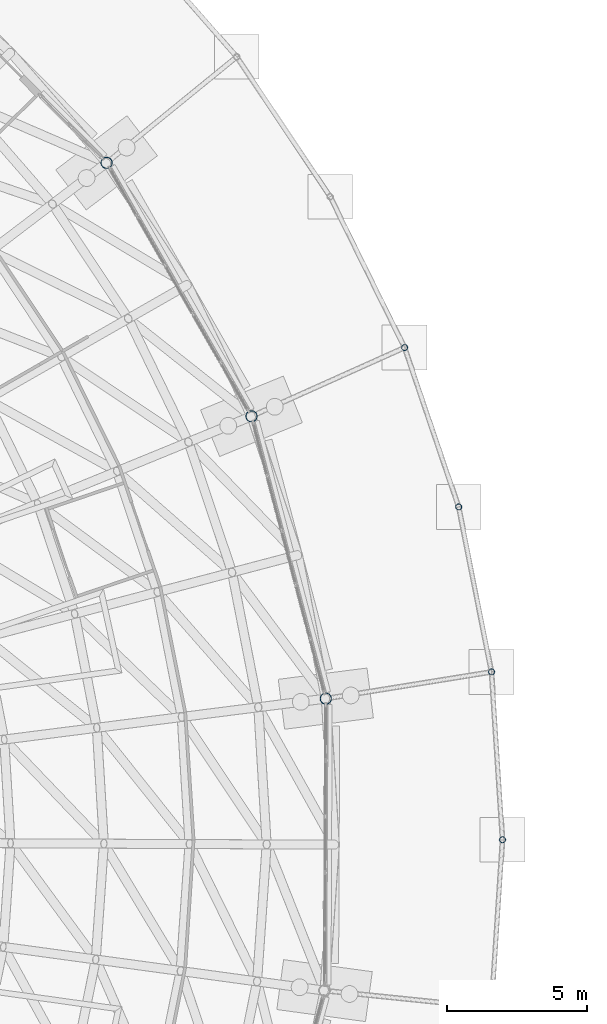
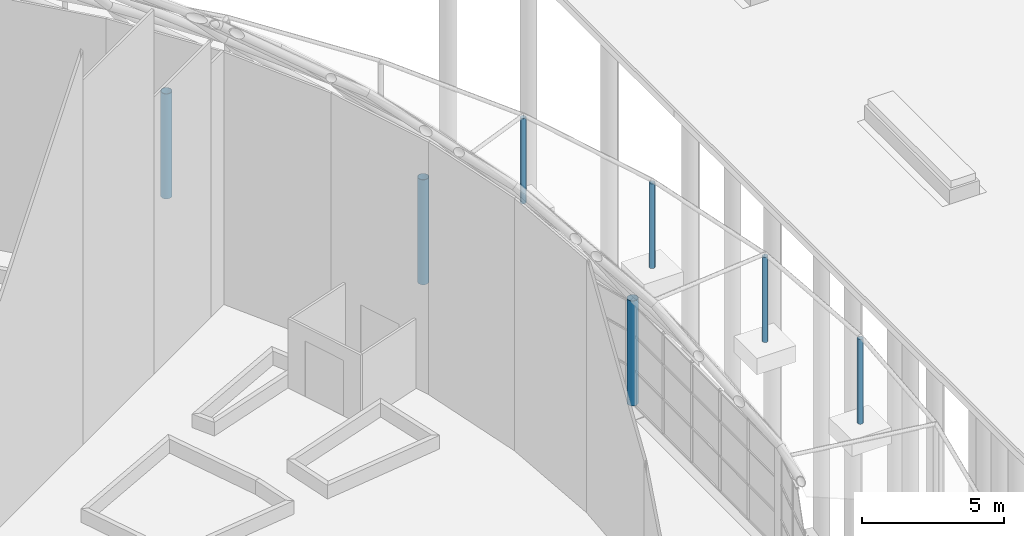
# One storey, part 40 of 226: 7 columns.
"""IFC4 building model written with IfcOpenShell, lengths in metres."""

from ifc_helpers import new_model, si_unit, direction, frame, origin, origin_2d, place, context, subcontext, project, spatial, hollow_circle, extrude, material, material_profile, profile_set, type_object, element, save


model = new_model("IFC4")

# Units and contexts
model_context = context("Model", 3, precision=1e-05, world=origin(), true_north=direction((0.0, 1.0)))
body_context = subcontext(model_context, "Body", "Model", "MODEL_VIEW")
ifc_project = project(units=[si_unit("LENGTHUNIT", "METRE"), si_unit("AREAUNIT", "SQUARE_METRE"), si_unit("VOLUMEUNIT", "CUBIC_METRE"), si_unit("PLANEANGLEUNIT", "RADIAN"), si_unit("MASSUNIT", "GRAM", prefix="KILO")], contexts=[model_context])

# Site, building, storey
site_placement = place(None, origin())
site = spatial("IfcSite", under=ifc_project, at=site_placement, CompositionType="ELEMENT")
building_placement = place(site_placement, origin())
building = spatial("IfcBuilding", under=site, at=building_placement, Name="Ceibo Conservatory and Research Tower", CompositionType="ELEMENT")
storey_placement = place(building_placement, origin())
storey = spatial("IfcBuildingStorey", under=building, at=storey_placement, Name="L00", CompositionType="ELEMENT", Elevation=0.0)

# Columns
ifc_material = material(Name="Steel ASTM A500 Gr C", Category="steel")
ifc_material_profile_1 = material_profile(ifc_material, hollow_circle(Radius=0.109619140625, WallThickness=0.00830078125, at=origin_2d()), Name="CHS column 219.1x8.18")
ifc_profile_set_1 = profile_set([ifc_material_profile_1], Name="Steel ASTM A500 Gr C")
column_type_1 = type_object("IfcColumnType", Name="CHS column 219.1x8.18", PredefinedType="COLUMN", material=ifc_profile_set_1)
column_1_placement = place(storey_placement, frame((202.0, 108.0, 0.0), z_axis=(0.0, 0.0, 1.0), x_axis=(1.0, 0.0, 0.0)))
element("IfcColumn", 1, at=column_1_placement, inside=storey, type_object=column_type_1, Name="Colonnade column A-CL09", PredefinedType="COLUMN", context=body_context, shape_type="SweptSolid", body=[
    extrude(hollow_circle(Radius=0.109619140625, WallThickness=0.00830078125, at=origin_2d()), origin(), (0.0, 0.0, 1.0), 3.631103515625),
])
column_2_placement = place(storey_placement, frame((201.6064453125, 114.004150390625, 0.0), z_axis=(0.0, 0.0, 1.0), x_axis=(1.0, 0.0, 0.0)))
element("IfcColumn", 2, at=column_2_placement, inside=storey, type_object=column_type_1, Name="Colonnade column A-CL10", PredefinedType="COLUMN", context=body_context, shape_type="SweptSolid", body=[
    extrude(hollow_circle(Radius=0.109619140625, WallThickness=0.00830078125, at=origin_2d()), origin(), (0.0, 0.0, 1.0), 3.64794921875),
])
column_3_placement = place(storey_placement, frame((200.4326171875, 119.90576171875, 0.0), z_axis=(0.0, 0.0, 1.0), x_axis=(1.0, 0.0, 0.0)))
element("IfcColumn", 3, at=column_3_placement, inside=storey, type_object=column_type_1, Name="Colonnade column A-CL11", PredefinedType="COLUMN", context=body_context, shape_type="SweptSolid", body=[
    extrude(hollow_circle(Radius=0.109619140625, WallThickness=0.00830078125, at=origin_2d()), origin(), (0.0, 0.0, 1.0), 3.631103515625),
])
column_4_placement = place(storey_placement, frame((198.49853515625, 125.603515625, 0.0), z_axis=(0.0, 0.0, 1.0), x_axis=(1.0, 0.0, 0.0)))
element("IfcColumn", 4, at=column_4_placement, inside=storey, type_object=column_type_1, Name="Colonnade column A-CL12", PredefinedType="COLUMN", context=body_context, shape_type="SweptSolid", body=[
    extrude(hollow_circle(Radius=0.109619140625, WallThickness=0.00830078125, at=origin_2d()), origin(), (0.0, 0.0, 1.0), 3.64794921875),
])
ifc_material_profile_2 = material_profile(ifc_material, hollow_circle(Radius=0.203125, WallThickness=0.0126953125, at=origin_2d()), Name="CHS column 406.4x12.70")
ifc_profile_set_2 = profile_set([ifc_material_profile_2], Name="Steel ASTM A500 Gr C")
column_type_2 = type_object("IfcColumnType", Name="CHS column 406.4x12.70", PredefinedType="COLUMN", material=ifc_profile_set_2)
for number, where, z_axis, x_axis, name in (
    (5, (195.68017578125, 113.0478515625, 0.0), (0.0, 0.0, 1.0), (1.0, 0.0, 0.0), "Drum column A-DC01"),
    (6, (193.021728515625, 123.14599609375, 0.0), (0.0, 0.0, 1.0), (1.0, 0.0, 0.0), "Drum column A-DC02"),
    (7, (187.840087890625, 132.211669921875, 0.0), (0.0, 0.0, 1.0), (1.0, 0.0, 0.0), "Drum column A-DC03"),
):
    element("IfcColumn", number, at=place(storey_placement, frame(where, z_axis=z_axis, x_axis=x_axis)), inside=storey, type_object=column_type_2, Name=name, PredefinedType="COLUMN", context=body_context, shape_type="SweptSolid", body=[
        extrude(hollow_circle(Radius=0.203125, WallThickness=0.0126953125, at=origin_2d()), origin(), (0.0, 0.0, 1.0), 4.5),
    ])

save(model, "model.ifc")
